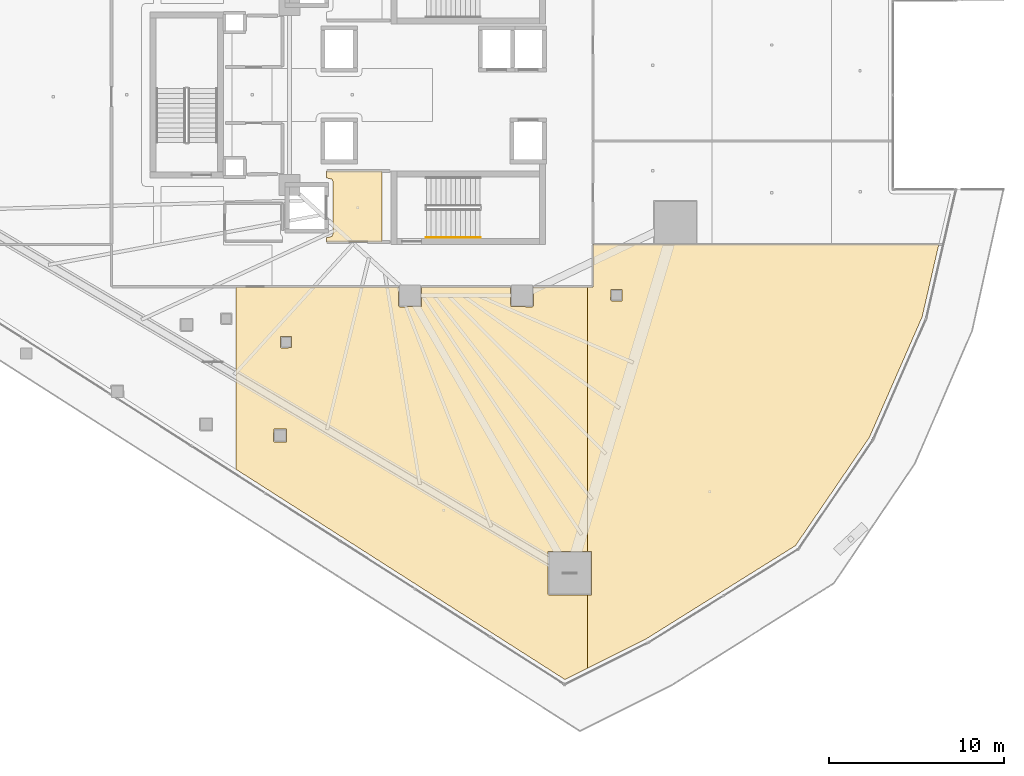
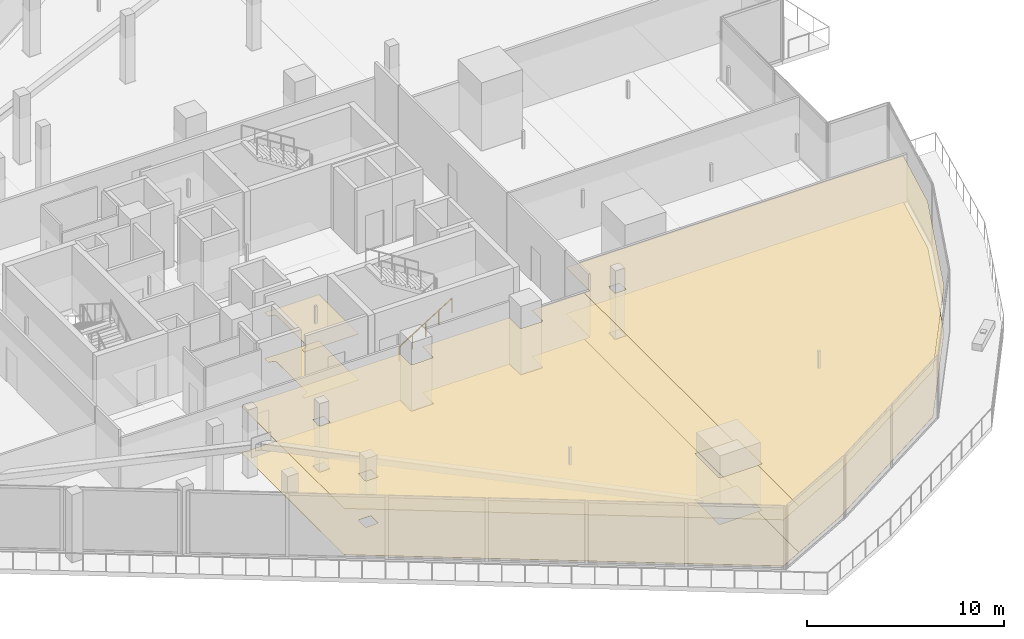
# One storey, part 37 of 43: 6 coverings, 1 railing.
"""IFC4 building model written with IfcOpenShell, lengths in metres."""

from ifc_helpers import new_model, si_unit, direction, frame, origin, origin_2d, place, context, subcontext, project, spatial, polyline, circle, outline, extrude, material, layer, layer_set, type_object, element, save


model = new_model("IFC4")

# Units and contexts
model_context = context("Model", 3, precision=1e-05, world=origin(), true_north=direction((0.0, 1.0)))
body_context = subcontext(model_context, "Body", "Model", "MODEL_VIEW")
ifc_project = project(units=[si_unit("LENGTHUNIT", "METRE"), si_unit("AREAUNIT", "SQUARE_METRE"), si_unit("VOLUMEUNIT", "CUBIC_METRE"), si_unit("PLANEANGLEUNIT", "RADIAN"), si_unit("MASSUNIT", "GRAM", prefix="KILO")], contexts=[model_context])

# Site, building, storey
site_placement = place(None, origin())
site = spatial("IfcSite", under=ifc_project, at=site_placement, CompositionType="ELEMENT")
building_placement = place(site_placement, origin())
building = spatial("IfcBuilding", under=site, at=building_placement, Name="Qorvath Tower", CompositionType="ELEMENT")
storey_placement = place(building_placement, frame((0.0, 0.0, 36.60009765625)))
storey = spatial("IfcBuildingStorey", under=building, at=storey_placement, Name="L07", CompositionType="ELEMENT", Elevation=36.60009765625)

# Coverings
ifc_material_1 = material(Name="Acoustic mineral fibre ceiling tile", Category="gypsum")
ifc_layer_1 = layer(ifc_material_1, 0.030029296875)
ifc_layer_set_1 = layer_set([ifc_layer_1], Name="COV-CEIL")
covering_type_1 = type_object("IfcCoveringType", Name="COV-CEIL", PredefinedType="CEILING", material=ifc_layer_set_1)
covering_1_placement = place(storey_placement, frame((0.0, 0.0, 2.849853515625)))
element("IfcCovering", 1, at=covering_1_placement, inside=storey, type_object=covering_type_1, Name="L07 Suspended Acoustic Ceiling 002", PredefinedType="CEILING", context=body_context, shape_type="SweptSolid", body=[
    extrude(outline(polyline([(-25.18994140625, -8.39501953125), (-25.18994140625, -4.35498046875), (-28.375, -4.35498046875), (-28.375, -4.739990234375), (-28.063232421875, -4.813232421875), (-27.989990234375, -4.989990234375), (-27.989990234375, -7.909912109375), (-28.063232421875, -8.086669921875), (-28.375, -8.159912109375), (-28.375, -8.39501953125), (-25.18994140625, -8.39501953125)])), origin(), (0.0, 0.0, 1.0), 0.030029296875),
])
covering_2_placement = place(storey_placement, frame((0.0, 0.0, 2.849853515625)))
element("IfcCovering", 2, at=covering_2_placement, inside=storey, type_object=covering_type_1, Name="L07 Suspended Acoustic Ceiling 014", PredefinedType="CEILING", context=body_context, shape_type="SweptSolid", body=[
    extrude(outline(polyline([(-13.46728515625, -32.763916015625), (-13.46728515625, -28.574951171875), (-15.664306640625, -28.5908203125), (-15.724365234375, -28.53076171875), (-15.706787109375, -26.08837890625), (-13.46728515625, -26.08837890625), (-13.46728515625, -10.961669921875), (-16.5400390625, -10.962890625), (-16.5400390625, -12.050048828125), (-16.60009765625, -12.110107421875), (-17.842529296875, -12.092529296875), (-17.860107421875, -10.962890625), (-22.93994140625, -10.962890625), (-22.95751953125, -12.092529296875), (-24.199951171875, -12.110107421875), (-24.260009765625, -12.050048828125), (-24.260009765625, -10.962890625), (-33.55078125, -10.962890625), (-33.55078125, -21.390869140625), (-14.751708984375, -33.406005859375), (-13.46728515625, -32.763916015625)]), holes=[polyline([(-31.01220703125, -14.3994140625), (-30.99462890625, -13.806884765625), (-30.35986328125, -13.806884765625), (-30.35986328125, -14.441650390625), (-30.9521484375, -14.459228515625), (-31.01220703125, -14.3994140625)]), polyline([(-31.401123046875, -19.785400390625), (-31.383544921875, -19.093017578125), (-30.648681640625, -19.093017578125), (-30.648681640625, -19.827880859375), (-31.341064453125, -19.845458984375), (-31.401123046875, -19.785400390625)])]), origin(), (0.0, 0.0, 1.0), 0.030029296875),
])
covering_3_placement = place(storey_placement, frame((0.0, 0.0, 2.849853515625)))
element("IfcCovering", 3, at=covering_3_placement, inside=storey, type_object=covering_type_1, Name="L07 Suspended Acoustic Ceiling 015", PredefinedType="CEILING", context=body_context, shape_type="SweptSolid", body=[
    extrude(outline(polyline([(-10.07763671875, -31.069091796875), (-1.571533203125, -25.755859375), (2.6494140625, -19.57373046875), (5.663818359375, -12.689453125), (6.6162109375, -8.554931640625), (-13.136962890625, -8.554931640625), (-13.138427734375, -10.96142578125), (-13.46728515625, -10.961669921875), (-13.46728515625, -26.08837890625), (-13.221923828125, -26.08837890625), (-13.221923828125, -28.5732421875), (-13.46728515625, -28.574951171875), (-13.46728515625, -32.763916015625), (-10.07763671875, -31.069091796875)]), holes=[polyline([(-12.135009765625, -11.72509765625), (-12.117431640625, -11.132568359375), (-11.482666015625, -11.132568359375), (-11.482666015625, -11.767333984375), (-12.074951171875, -11.784912109375), (-12.135009765625, -11.72509765625)])]), origin(), (0.0, 0.0, 1.0), 0.030029296875),
])
ifc_material_2 = material(Name="Low-VOC modular carpet tile", Category="textile")
ifc_layer_2 = layer(ifc_material_2, 0.014892578125)
ifc_layer_set_2 = layer_set([ifc_layer_2], Name="COV-FLOOR-CPT")
covering_type_2 = type_object("IfcCoveringType", Name="COV-FLOOR-CPT", PredefinedType="FLOORING", material=ifc_layer_set_2)
covering_4_placement = place(storey_placement, origin())
element("IfcCovering", 4, at=covering_4_placement, inside=storey, type_object=covering_type_2, Name="L07 Floor Finish 014", PredefinedType="FLOORING", context=body_context, shape_type="SweptSolid", body=[
    extrude(outline(polyline([(-13.46728515625, -32.763916015625), (-13.46728515625, -28.574951171875), (-15.664306640625, -28.5908203125), (-15.724365234375, -28.53076171875), (-15.706787109375, -26.08837890625), (-13.46728515625, -26.08837890625), (-13.46728515625, -10.961669921875), (-16.5400390625, -10.962890625), (-16.5400390625, -12.050048828125), (-16.60009765625, -12.110107421875), (-17.842529296875, -12.092529296875), (-17.860107421875, -10.962890625), (-22.93994140625, -10.962890625), (-22.95751953125, -12.092529296875), (-24.199951171875, -12.110107421875), (-24.260009765625, -12.050048828125), (-24.260009765625, -10.962890625), (-33.55078125, -10.962890625), (-33.55078125, -21.390869140625), (-14.751708984375, -33.406005859375), (-13.46728515625, -32.763916015625)]), holes=[polyline([(-31.01220703125, -14.3994140625), (-30.99462890625, -13.806884765625), (-30.35986328125, -13.806884765625), (-30.35986328125, -14.441650390625), (-30.9521484375, -14.459228515625), (-31.01220703125, -14.3994140625)]), polyline([(-31.401123046875, -19.785400390625), (-31.383544921875, -19.093017578125), (-30.648681640625, -19.093017578125), (-30.648681640625, -19.827880859375), (-31.341064453125, -19.845458984375), (-31.401123046875, -19.785400390625)])]), origin(), (0.0, 0.0, 1.0), 0.014892578125),
])
covering_5_placement = place(storey_placement, origin())
element("IfcCovering", 5, at=covering_5_placement, inside=storey, type_object=covering_type_2, Name="L07 Floor Finish 015", PredefinedType="FLOORING", context=body_context, shape_type="SweptSolid", body=[
    extrude(outline(polyline([(-10.07763671875, -31.069091796875), (-1.571533203125, -25.755859375), (2.6494140625, -19.57373046875), (5.663818359375, -12.689453125), (6.6162109375, -8.554931640625), (-13.136962890625, -8.554931640625), (-13.138427734375, -10.96142578125), (-13.46728515625, -10.961669921875), (-13.46728515625, -26.08837890625), (-13.221923828125, -26.08837890625), (-13.221923828125, -28.5732421875), (-13.46728515625, -28.574951171875), (-13.46728515625, -32.763916015625), (-10.07763671875, -31.069091796875)]), holes=[polyline([(-12.135009765625, -11.72509765625), (-12.117431640625, -11.132568359375), (-11.482666015625, -11.132568359375), (-11.482666015625, -11.767333984375), (-12.074951171875, -11.784912109375), (-12.135009765625, -11.72509765625)])]), origin(), (0.0, 0.0, 1.0), 0.014892578125),
])
ifc_material_3 = material(Name="Polished epoxy terrazzo flooring", Category="concrete")
ifc_layer_3 = layer(ifc_material_3, 0.02001953125)
ifc_layer_set_3 = layer_set([ifc_layer_3], Name="COV-FLOOR-TRZ")
covering_type_3 = type_object("IfcCoveringType", Name="COV-FLOOR-TRZ", PredefinedType="FLOORING", material=ifc_layer_set_3)
covering_6_placement = place(storey_placement, origin())
element("IfcCovering", 6, at=covering_6_placement, inside=storey, type_object=covering_type_3, Name="L07 Floor Finish 002", PredefinedType="FLOORING", context=body_context, shape_type="SweptSolid", body=[
    extrude(outline(polyline([(-25.18994140625, -8.39501953125), (-25.18994140625, -4.35498046875), (-28.375, -4.35498046875), (-28.375, -4.739990234375), (-28.063232421875, -4.813232421875), (-27.989990234375, -4.989990234375), (-27.989990234375, -7.909912109375), (-28.063232421875, -8.086669921875), (-28.375, -8.159912109375), (-28.375, -8.39501953125), (-25.18994140625, -8.39501953125)])), origin(), (0.0, 0.0, 1.0), 0.014892578125),
])

# Railing
ifc_material_4 = material(Name="Brushed stainless steel AISI 304", Category="steel")
railing_type = type_object("IfcRailingType", Name="RL-STR-HND", PredefinedType="HANDRAIL", material=ifc_material_4)
railing_placement = place(storey_placement, frame((-22.669921875, -8.14990234375, 0.1748046875)))
element("IfcRailing", 7, at=railing_placement, inside=storey, type_object=railing_type, Name="L07 TS2 stair handrail 1", PredefinedType="HANDRAIL", context=body_context, shape_type="SweptSolid", body=[
    extrude(circle(Radius=0.02392578125, at=origin_2d()), frame((0.0, 0.0, 0.8759765625), z_axis=(0.847979421464, 0.0, 0.530029150871), x_axis=(0.0, 1.0, 0.0)), (0.0, 0.0, 1.0), 3.632080078125),
    extrude(circle(Radius=0.02099609375, at=origin_2d()), origin(), (0.0, 0.0, 1.0), 0.851806640625),
    extrude(circle(Radius=0.02099609375, at=origin_2d()), frame((0.77001953125, 0.0, 0.481201171875)), (0.0, 0.0, 1.0), 0.851806640625),
    extrude(circle(Radius=0.02099609375, at=origin_2d()), frame((1.5400390625, 0.0, 0.96240234375)), (0.0, 0.0, 1.0), 0.851806640625),
    extrude(circle(Radius=0.02099609375, at=origin_2d()), frame((2.309814453125, 0.0, 1.44384765625)), (0.0, 0.0, 1.0), 0.851806640625),
    extrude(circle(Radius=0.02099609375, at=origin_2d()), frame((3.079833984375, 0.0, 1.925048828125)), (0.0, 0.0, 1.0), 0.851806640625),
])

save(model, "model.ifc")
